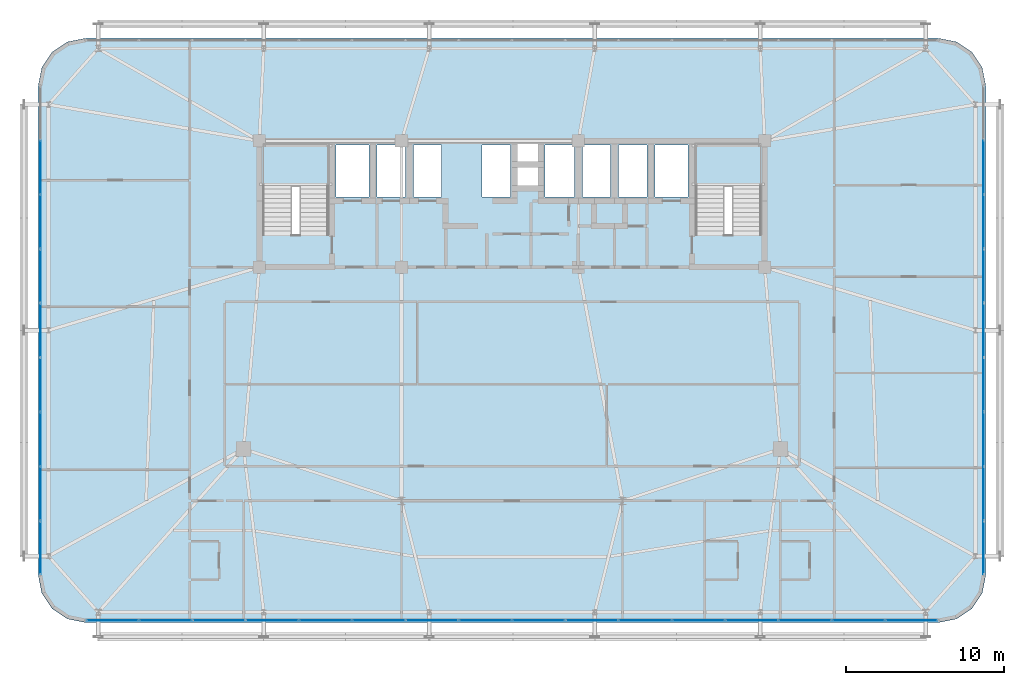
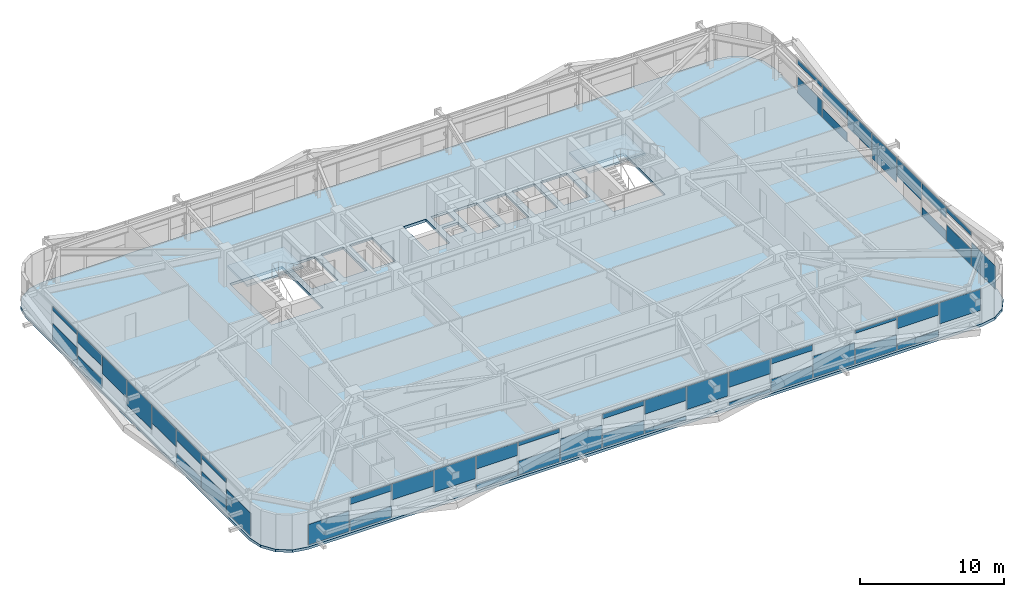
# One storey, part 42 of 59: 49 plates, 3 slabs, 5 elements without a shape of their own.
"""IFC4 building model written with IfcOpenShell, lengths in metres."""

import ifcopenshell
import ifcopenshell.guid

model = None  # the IFC model being written
_history = None  # IfcOwnerHistory: only IFC2X3 demands one
_inside = {}  # id of a spatial element -> (the spatial element, [elements in it])
_under = {}  # id of a project, library or spatial element -> (it, [spatial elements below it])
_declared = {}  # id of a project -> (the project, [libraries it declares])
_typed = {}  # id of a type object -> (the type object, [elements of that type])
_made_of = {}  # id of a material, layer set ... -> (it, [elements and type objects made of it])


def new_model(schema):
    """Start an empty IFC model of exactly this schema.

    Asked for "IFC4X3", IfcOpenShell would pick the latest addendum, in which some entities
    have other attributes; the version numbers below select the first issue.
    IFC2X3 requires an IfcOwnerHistory on every rooted entity: one is made here for all.
    """
    global model, _history
    if schema == "IFC4X3":
        model = ifcopenshell.file(schema_version=(4, 3, 0, 0))
    else:
        model = ifcopenshell.file(schema=schema)
    _inside.clear()
    _under.clear()
    _declared.clear()
    _typed.clear()
    _made_of.clear()
    _history = None
    if model.schema == "IFC2X3":
        org = make("IfcOrganization", Name="unknown")
        user = make(
            "IfcPersonAndOrganization",
            ThePerson=make("IfcPerson", FamilyName="unknown"),
            TheOrganization=org,
        )
        app = make(
            "IfcApplication",
            ApplicationDeveloper=org,
            Version="unknown",
            ApplicationFullName="unknown",
            ApplicationIdentifier="unknown",
        )
        _history = make(
            "IfcOwnerHistory",
            OwningUser=user,
            OwningApplication=app,
            ChangeAction="ADDED",
            CreationDate=0,
        )
    return model


def make(cls, **values):
    """One entity of the class cls with the attributes given. An attribute that is None is left unset."""
    return model.create_entity(
        cls, **{name: value for name, value in values.items() if value is not None}
    )


def rooted(cls, **values):
    """An entity with a GlobalId (a new one), such as an element, a storey or a relation."""
    return make(cls, GlobalId=ifcopenshell.guid.new(), OwnerHistory=_history, **values)


def si_unit(unit_type, name, prefix=None):
    """IfcSIUnit, for example si_unit("LENGTHUNIT", "METRE", prefix="MILLI")."""
    return make("IfcSIUnit", UnitType=unit_type, Prefix=prefix, Name=name)


def assignment(units):
    """IfcUnitAssignment: the units of a project."""
    return None if units is None else make("IfcUnitAssignment", Units=units)


def point(xyz):
    """IfcCartesianPoint."""
    return None if xyz is None else make("IfcCartesianPoint", Coordinates=xyz)


def direction(xyz):
    """IfcDirection."""
    return None if xyz is None else make("IfcDirection", DirectionRatios=xyz)


def frame(location, z_axis=None, x_axis=None):
    """IfcAxis2Placement3D, a coordinate frame: its origin and axes. An axis left out is left unset."""
    return make(
        "IfcAxis2Placement3D",
        Location=point(location),
        Axis=direction(z_axis),
        RefDirection=direction(x_axis),
    )


def frame_2d(location, x_axis=None):
    """IfcAxis2Placement2D, a coordinate frame in the plane: its origin and x axis."""
    return make(
        "IfcAxis2Placement2D", Location=point(location), RefDirection=direction(x_axis)
    )


def origin():
    """The frame at (0, 0, 0) with its axes left unset."""
    return frame((0.0, 0.0, 0.0))


def origin_2d():
    """The frame at (0, 0) in the plane with its x axis left unset."""
    return frame_2d((0.0, 0.0))


def place(relative_to, where):
    """IfcLocalPlacement: puts the frame where relative to a parent placement (None: the world)."""
    return make(
        "IfcLocalPlacement", PlacementRelTo=relative_to, RelativePlacement=where
    )


def context(
    kind, dimensions, precision=None, world=None, true_north=None, identifier=None
):
    """IfcGeometricRepresentationContext, for example the 3D "Model" context."""
    return make(
        "IfcGeometricRepresentationContext",
        ContextIdentifier=identifier,
        ContextType=kind,
        CoordinateSpaceDimension=dimensions,
        Precision=precision,
        WorldCoordinateSystem=world,
        TrueNorth=true_north,
    )


def subcontext(parent, identifier, kind, view, scale=None):
    """IfcGeometricRepresentationSubContext, for example "Body" below "Model"."""
    return make(
        "IfcGeometricRepresentationSubContext",
        ContextIdentifier=identifier,
        ContextType=kind,
        ParentContext=parent,
        TargetScale=scale,
        TargetView=view,
    )


def project(units=None, contexts=None):
    """IfcProject with its units and contexts."""
    return rooted(
        "IfcProject",
        Name="project",
        RepresentationContexts=contexts,
        UnitsInContext=assignment(units),
    )


def spatial(cls, under=None, at=None, **own):
    """A site, building, storey or space (cls), placed at a placement, below another one or the project."""
    s = rooted(cls, ObjectPlacement=at, **own)
    if under is not None:
        _under.setdefault(under.id(), (under, []))[1].append(s)
    return s


def polyline(points):
    """IfcPolyline through the points."""
    return make("IfcPolyline", Points=[point(p) for p in points])


def profile(cls, at=None, kind="AREA", **sizes):
    """A parametric profile (cls). Its sizes go by their IFC names, for example OverallWidth=200.0."""
    return make(cls, ProfileType=kind, Position=at, **sizes)


def rectangle(**sizes):
    """IfcRectangleProfileDef."""
    return profile("IfcRectangleProfileDef", **sizes)


def outline(outer, holes=None, kind="AREA"):
    """IfcArbitraryClosedProfileDef: a profile drawn as a closed curve; with holes, ...WithVoids."""
    if holes is None:
        return make("IfcArbitraryClosedProfileDef", ProfileType=kind, OuterCurve=outer)
    return make(
        "IfcArbitraryProfileDefWithVoids",
        ProfileType=kind,
        OuterCurve=outer,
        InnerCurves=holes,
    )


def extrude(swept, where, along, depth):
    """IfcExtrudedAreaSolid: the profile swept, set in the frame where, extruded along a direction by depth."""
    return make(
        "IfcExtrudedAreaSolid",
        SweptArea=swept,
        Position=where,
        ExtrudedDirection=direction(along),
        Depth=depth,
    )


def shape(context_of_items, identifier, shape_type, items):
    """IfcShapeRepresentation: the items that make up one representation, for example the "Body"."""
    return make(
        "IfcShapeRepresentation",
        ContextOfItems=context_of_items,
        RepresentationIdentifier=identifier,
        RepresentationType=shape_type,
        Items=items,
    )


def source(mapping_origin, context_of_items, identifier, shape_type, items):
    """IfcRepresentationMap: a shape defined once, which mapped items show again and again."""
    return make(
        "IfcRepresentationMap",
        MappingOrigin=mapping_origin,
        MappedRepresentation=shape(context_of_items, identifier, shape_type, items),
    )


def transform(
    local_origin,
    x_axis=None,
    y_axis=None,
    z_axis=None,
    scale=None,
    scale2=None,
    scale3=None,
    uniform=True,
):
    """IfcCartesianTransformationOperator3D, or its non-uniform kind. x_axis, y_axis, z_axis: its Axis1, 2, 3."""
    if uniform:
        return make(
            "IfcCartesianTransformationOperator3D",
            Axis1=direction(x_axis),
            Axis2=direction(y_axis),
            LocalOrigin=point(local_origin),
            Scale=scale,
            Axis3=direction(z_axis),
        )
    return make(
        "IfcCartesianTransformationOperator3DnonUniform",
        Axis1=direction(x_axis),
        Axis2=direction(y_axis),
        LocalOrigin=point(local_origin),
        Scale=scale,
        Axis3=direction(z_axis),
        Scale2=scale2,
        Scale3=scale3,
    )


def mapped(mapping_source, mapping_target):
    """IfcMappedItem: shows the shape of a source again, moved by a transform."""
    return make(
        "IfcMappedItem", MappingSource=mapping_source, MappingTarget=mapping_target
    )


def material(Name=None, Category=None):
    """IfcMaterial."""
    return make("IfcMaterial", Name=Name, Category=Category)


def layer(
    of_material, thickness, ventilated=None, Name=None, Category=None, Priority=None
):
    """IfcMaterialLayer: one layer of a wall or slab, of a material (None: an air gap)."""
    return make(
        "IfcMaterialLayer",
        Material=of_material,
        LayerThickness=thickness,
        IsVentilated=ventilated,
        Name=Name,
        Category=Category,
        Priority=Priority,
    )


def layer_set(layers, Name=None):
    """IfcMaterialLayerSet."""
    return make("IfcMaterialLayerSet", MaterialLayers=layers, LayerSetName=Name)


def made_of(thing, what):
    """Note that an element or type object is made of a material, layer set ...; save() writes the relation."""
    if what is not None:
        _made_of.setdefault(what.id(), (what, []))[1].append(thing)
    return thing


def type_object(cls, material=None, **own):
    """A type object (cls), such as IfcWallType, which elements share."""
    return made_of(rooted(cls, **own), material)


def element(
    cls,
    number,
    at=None,
    inside=None,
    cuts=None,
    type_object=None,
    material=None,
    context=None,
    identifier="Body",
    shape_type=None,
    held_by="IfcProductDefinitionShape",
    body=None,
    shapes=None,
    **own,
):
    """One element of the class cls, such as IfcWall. Its Tag is "e" and its number.

    at: its placement. inside: the storey or other place that contains it. cuts: it is an
    opening in that element (IfcRelVoidsElement). A single representation is given by context,
    identifier, shape_type and body (its items); several are given by shapes. held_by: the class
    of the entity that holds the representations. save() writes the other relations.
    """
    e = rooted(cls, Tag="e%d" % number, ObjectPlacement=at, **own)
    if body is not None:
        shapes = [shape(context, identifier, shape_type, body)]
    if shapes is not None:
        e.Representation = make(held_by, Representations=shapes)
    if inside is not None:
        _inside.setdefault(inside.id(), (inside, []))[1].append(e)
    if cuts is not None:
        rooted(
            "IfcRelVoidsElement", RelatingBuildingElement=cuts, RelatedOpeningElement=e
        )
    if type_object is not None:
        _typed.setdefault(type_object.id(), (type_object, []))[1].append(e)
    return made_of(e, material)


def aggregate(whole, parts):
    """IfcRelAggregates: a whole, such as a stair, and the parts it consists of."""
    return rooted("IfcRelAggregates", RelatingObject=whole, RelatedObjects=parts)


def save(model, path):
    """Write the relations noted so far, then the file.

    IfcRelAggregates (storeys below a building ...), IfcRelContainedInSpatialStructure (elements
    in a storey), IfcRelDefinesByType, IfcRelAssociatesMaterial and IfcRelDeclares: one each for
    every whole, place, type object, material and project.
    """
    for whole, parts in _under.values():
        aggregate(whole, parts)
    for where, things in _inside.values():
        rooted(
            "IfcRelContainedInSpatialStructure",
            RelatedElements=things,
            RelatingStructure=where,
        )
    for kind, things in _typed.values():
        rooted("IfcRelDefinesByType", RelatedObjects=things, RelatingType=kind)
    for what, things in _made_of.values():
        rooted("IfcRelAssociatesMaterial", RelatedObjects=things, RelatingMaterial=what)
    for by, libraries in _declared.values():
        rooted("IfcRelDeclares", RelatingContext=by, RelatedDefinitions=libraries)
    model.write(path)


model = new_model("IFC4")

# Units and contexts
model_context = context("Model", 3, precision=1e-05, world=origin(), true_north=direction((0.0, 1.0)))
body_context = subcontext(model_context, "Body", "Model", "MODEL_VIEW")
ifc_project = project(units=[si_unit("LENGTHUNIT", "METRE"), si_unit("AREAUNIT", "SQUARE_METRE"), si_unit("VOLUMEUNIT", "CUBIC_METRE"), si_unit("PLANEANGLEUNIT", "RADIAN"), si_unit("MASSUNIT", "GRAM", prefix="KILO")], contexts=[model_context])

# Site, building, storey
site_placement = place(None, origin())
site = spatial("IfcSite", under=ifc_project, at=site_placement, CompositionType="ELEMENT")
building_placement = place(site_placement, origin())
building = spatial("IfcBuilding", under=site, at=building_placement, Name="Taldren Reach Tower", CompositionType="ELEMENT")
storey_placement = place(building_placement, frame((0.0, 0.0, 26.25)))
storey = spatial("IfcBuildingStorey", under=building, at=storey_placement, Name="L07", CompositionType="ELEMENT", Elevation=26.25)

# Slab
ifc_material_1 = material(Name="Concrete N40 (40 MPa)", Category="concrete")
ifc_layer_1 = layer(ifc_material_1, 0.219970703125)
ifc_layer_set_1 = layer_set([ifc_layer_1], Name="Concrete N40 (40 MPa)")
slab_type_1 = type_object("IfcSlabType", Name="SL-FLR-220", PredefinedType="FLOOR", material=ifc_layer_set_1)
slab_1_placement = place(storey_placement, frame((0.0, 0.0, -0.219970703125)))
element("IfcSlab", 1, at=slab_1_placement, inside=storey, type_object=slab_type_1, Name="Suspended floor slab L07", PredefinedType="FLOOR", context=body_context, shape_type="SweptSolid", body=[
    extrude(outline(polyline([(62.0, 1.5), (63.14794921875, 1.728271484375), (64.121337890625, 2.378662109375), (64.771728515625, 3.35205078125), (65.0, 4.5), (65.0, 35.5), (64.771728515625, 36.64794921875), (64.121337890625, 37.621337890625), (63.14794921875, 38.271728515625), (62.0, 38.5), (8.0, 38.5), (6.85205078125, 38.271728515625), (5.878662109375, 37.621337890625), (5.228271484375, 36.64794921875), (5.0, 35.5), (5.0, 4.5), (5.228271484375, 3.35205078125), (5.878662109375, 2.378662109375), (6.85205078125, 1.728271484375), (8.0, 1.5), (62.0, 1.5)]), holes=[polyline([(19.219970703125, 26.050048828125), (23.3798828125, 26.050048828125), (23.3798828125, 31.820068359375), (19.219970703125, 31.820068359375), (19.219970703125, 26.050048828125)]), polyline([(46.6201171875, 26.050048828125), (50.780029296875, 26.050048828125), (50.780029296875, 31.820068359375), (46.6201171875, 31.820068359375), (46.6201171875, 26.050048828125)]), polyline([(23.85009765625, 28.449951171875), (25.949951171875, 28.449951171875), (25.949951171875, 31.75), (23.85009765625, 31.75), (23.85009765625, 28.449951171875)]), polyline([(44.050048828125, 28.449951171875), (46.14990234375, 28.449951171875), (46.14990234375, 31.75), (44.050048828125, 31.75), (44.050048828125, 28.449951171875)]), polyline([(26.449951171875, 28.449951171875), (28.25, 28.449951171875), (28.25, 31.75), (26.449951171875, 31.75), (26.449951171875, 28.449951171875)]), polyline([(28.75, 28.449951171875), (30.550048828125, 28.449951171875), (30.550048828125, 31.75), (28.75, 31.75), (28.75, 28.449951171875)]), polyline([(33.10009765625, 28.449951171875), (34.89990234375, 28.449951171875), (34.89990234375, 31.75), (33.10009765625, 31.75), (33.10009765625, 28.449951171875)]), polyline([(37.10009765625, 28.449951171875), (38.949951171875, 28.449951171875), (38.949951171875, 31.75), (37.10009765625, 31.75), (37.10009765625, 28.449951171875)]), polyline([(39.449951171875, 28.449951171875), (41.25, 28.449951171875), (41.25, 31.75), (39.449951171875, 31.75), (39.449951171875, 28.449951171875)]), polyline([(41.75, 28.449951171875), (43.550048828125, 28.449951171875), (43.550048828125, 31.75), (41.75, 31.75), (41.75, 28.449951171875)]), polyline([(35.35009765625, 30.64990234375), (36.64990234375, 30.64990234375), (36.64990234375, 31.85009765625), (35.35009765625, 31.85009765625), (35.35009765625, 30.64990234375)]), polyline([(35.35009765625, 29.14990234375), (36.64990234375, 29.14990234375), (36.64990234375, 30.35009765625), (35.35009765625, 30.35009765625), (35.35009765625, 29.14990234375)])]), origin(), (0.0, 0.0, 1.0), 0.219970703125),
])

# Stair, slab
ifc_material_2 = material(Name="Concrete S50 (50 MPa)", Category="concrete")
stair_type = type_object("IfcStairType", Name="ST-HT-315", PredefinedType="HALF_TURN_STAIR", material=ifc_material_2)
stair_1_placement = place(storey_placement, origin())
stair_1 = element("IfcStair", 2, at=stair_1_placement, inside=storey, type_object=stair_type, Name="Fire-isolated exit stair ST1 L07", PredefinedType="HALF_TURN_STAIR")
ifc_layer_2 = layer(ifc_material_2, 0.179931640625)
ifc_layer_set_2 = layer_set([ifc_layer_2], Name="Concrete S50 (50 MPa)")
slab_type_2 = type_object("IfcSlabType", Name="SL-LAND-180", PredefinedType="LANDING", material=ifc_layer_set_2)
slab_2_placement = place(storey_placement, frame((0.0, 0.0, 1.39501953125)))
slab_2 = element("IfcSlab", 3, at=slab_2_placement, type_object=slab_type_2, Name="ST1 landing 1", PredefinedType="LANDING", context=body_context, shape_type="SweptSolid", body=[
    extrude(outline(polyline([(19.0400390625, 29.135009765625), (23.56005859375, 29.135009765625), (23.56005859375, 31.8701171875), (19.0400390625, 31.8701171875), (19.0400390625, 29.135009765625)])), origin(), (0.0, 0.0, 1.0), 0.179931640625),
])
aggregate(stair_1, [slab_2])

stair_2_placement = place(storey_placement, origin())
stair_2 = element("IfcStair", 4, at=stair_2_placement, inside=storey, type_object=stair_type, Name="Fire-isolated exit stair ST2 L07", PredefinedType="HALF_TURN_STAIR")
slab_3_placement = place(storey_placement, frame((0.0, 0.0, 1.39501953125)))
slab_3 = element("IfcSlab", 5, at=slab_3_placement, type_object=slab_type_2, Name="ST2 landing 1", PredefinedType="LANDING", context=body_context, shape_type="SweptSolid", body=[
    extrude(outline(polyline([(46.43994140625, 29.135009765625), (50.9599609375, 29.135009765625), (50.9599609375, 31.8701171875), (46.43994140625, 31.8701171875), (46.43994140625, 29.135009765625)])), origin(), (0.0, 0.0, 1.0), 0.179931640625),
])
aggregate(stair_2, [slab_3])

# Curtain wall, plates
ifc_material_3 = material(Name="Aluminium and Low-E Glass Unitised System", Category="aluminium")
ifc_layer_3 = layer(ifc_material_3, 0.159912109375)
ifc_layer_set_3 = layer_set([ifc_layer_3], Name="Aluminium and Low-E Glass Unitised System")
curtain_wall_type = type_object("IfcCurtainWallType", Name="CW-SYS-2", PredefinedType="NOTDEFINED", material=ifc_layer_set_3)
curtain_wall_1_placement = place(storey_placement, origin())
curtain_wall_1 = element("IfcCurtainWall", 6, at=curtain_wall_1_placement, inside=storey, type_object=curtain_wall_type, Name="Unitised curtain wall CW-L07-S", PredefinedType="NOTDEFINED")
ifc_material_4 = material(Name="Solar-Control Double Glazed IGU", Category="glass")
ifc_layer_4 = layer(ifc_material_4, 0.031982421875)
ifc_layer_set_4 = layer_set([ifc_layer_4], Name="Solar-Control Double Glazed IGU")
plate_type = type_object("IfcPlateType", Name="CW-PNL-IGU32", PredefinedType="CURTAIN_PANEL", material=ifc_layer_set_4)
shared_shape_1 = source(origin(), body_context, "Body", "SweptSolid", [
    extrude(rectangle(XDim=3.277587890625, YDim=0.031982421875, at=origin_2d()), origin(), (0.0, 0.0, 1.0), 1.73876953125),
])
plate_1_placement = place(storey_placement, frame((9.703857421875, 1.639892578125, 0.054931640625), z_axis=(0.0, 0.0, 1.0), x_axis=(1.0, 0.0, 0.0)))
plate_1 = element("IfcPlate", 7, at=plate_1_placement, type_object=plate_type, Name="CW-2 panel 1.1 part 1", PredefinedType="CURTAIN_PANEL", context=body_context, shape_type="MappedRepresentation", body=[
    mapped(shared_shape_1, transform((0.0, 0.0, 0.0), scale=1.0)),
])
shared_shape_2 = source(origin(), body_context, "Body", "SweptSolid", [
    extrude(rectangle(XDim=3.31005859375, YDim=0.031982421875, at=origin_2d()), origin(), (0.0, 0.0, 1.0), 0.9560546875),
])
plate_2_placement = place(storey_placement, frame((13.0625, 1.639892578125, 0.054931640625), z_axis=(0.0, 0.0, 1.0), x_axis=(1.0, 0.0, 0.0)))
plate_2 = element("IfcPlate", 8, at=plate_2_placement, type_object=plate_type, Name="CW-2 panel 2.1 part 1", PredefinedType="CURTAIN_PANEL", context=body_context, shape_type="MappedRepresentation", body=[
    mapped(shared_shape_2, transform((0.0, 0.0, 0.0), scale=1.0)),
])
shared_shape_3 = source(origin(), body_context, "Body", "SweptSolid", [
    extrude(rectangle(XDim=3.31005859375, YDim=0.031982421875, at=origin_2d()), origin(), (0.0, 0.0, 1.0), 0.562744140625),
])
plate_3_placement = place(storey_placement, frame((13.0625, 1.639892578125, 2.31201171875), z_axis=(0.0, 0.0, 1.0), x_axis=(1.0, 0.0, 0.0)))
plate_3 = element("IfcPlate", 9, at=plate_3_placement, type_object=plate_type, Name="CW-2 panel 2.1 part 2", PredefinedType="CURTAIN_PANEL", context=body_context, shape_type="MappedRepresentation", body=[
    mapped(shared_shape_3, transform((0.0, 0.0, 0.0), scale=1.0)),
])
shared_shape_4 = source(origin(), body_context, "Body", "SweptSolid", [
    extrude(rectangle(XDim=3.31005859375, YDim=0.031982421875, at=origin_2d()), origin(), (0.0, 0.0, 1.0), 1.345458984375),
])
plate_4_placement = place(storey_placement, frame((16.4375, 1.639892578125, 1.52978515625), z_axis=(0.0, 0.0, 1.0), x_axis=(1.0, 0.0, 0.0)))
plate_4 = element("IfcPlate", 10, at=plate_4_placement, type_object=plate_type, Name="CW-2 panel 3.1 part 1", PredefinedType="CURTAIN_PANEL", context=body_context, shape_type="MappedRepresentation", body=[
    mapped(shared_shape_4, transform((0.0, 0.0, 0.0), scale=1.0)),
])
shared_shape_5 = source(origin(), body_context, "Body", "SweptSolid", [
    extrude(rectangle(XDim=3.31005859375, YDim=0.031982421875, at=origin_2d()), origin(), (0.0, 0.0, 1.0), 1.881103515625),
])
plate_5_placement = place(storey_placement, frame((19.8125, 1.639892578125, 0.994140625), z_axis=(0.0, 0.0, 1.0), x_axis=(1.0, 0.0, 0.0)))
plate_5 = element("IfcPlate", 11, at=plate_5_placement, type_object=plate_type, Name="CW-2 panel 4.1 part 1", PredefinedType="CURTAIN_PANEL", context=body_context, shape_type="MappedRepresentation", body=[
    mapped(shared_shape_5, transform((0.0, 0.0, 0.0), scale=1.0)),
])
shared_shape_6 = source(origin(), body_context, "Body", "SweptSolid", [
    extrude(rectangle(XDim=3.31005859375, YDim=0.031982421875, at=origin_2d()), origin(), (0.0, 0.0, 1.0), 0.42041015625),
])
plate_6_placement = place(storey_placement, frame((23.1875, 1.639892578125, 0.05517578125), z_axis=(0.0, 0.0, 1.0), x_axis=(1.0, 0.0, 0.0)))
plate_6 = element("IfcPlate", 12, at=plate_6_placement, type_object=plate_type, Name="CW-2 panel 5.1 part 1", PredefinedType="CURTAIN_PANEL", context=body_context, shape_type="MappedRepresentation", body=[
    mapped(shared_shape_6, transform((0.0, 0.0, 0.0), scale=1.0)),
])
shared_shape_7 = source(origin(), body_context, "Body", "SweptSolid", [
    extrude(rectangle(XDim=3.31005859375, YDim=0.031982421875, at=origin_2d()), origin(), (0.0, 0.0, 1.0), 1.098388671875),
])
plate_7_placement = place(storey_placement, frame((23.1875, 1.639892578125, 1.7763671875), z_axis=(0.0, 0.0, 1.0), x_axis=(1.0, 0.0, 0.0)))
plate_7 = element("IfcPlate", 13, at=plate_7_placement, type_object=plate_type, Name="CW-2 panel 5.1 part 2", PredefinedType="CURTAIN_PANEL", context=body_context, shape_type="MappedRepresentation", body=[
    mapped(shared_shape_7, transform((0.0, 0.0, 0.0), scale=1.0)),
])
shared_shape_8 = source(origin(), body_context, "Body", "SweptSolid", [
    extrude(rectangle(XDim=3.31005859375, YDim=0.031982421875, at=origin_2d()), origin(), (0.0, 0.0, 1.0), 1.203125),
])
plate_8_placement = place(storey_placement, frame((26.5625, 1.639892578125, 0.054931640625), z_axis=(0.0, 0.0, 1.0), x_axis=(1.0, 0.0, 0.0)))
plate_8 = element("IfcPlate", 14, at=plate_8_placement, type_object=plate_type, Name="CW-2 panel 6.1 part 1", PredefinedType="CURTAIN_PANEL", context=body_context, shape_type="MappedRepresentation", body=[
    mapped(shared_shape_8, transform((0.0, 0.0, 0.0), scale=1.0)),
])
shared_shape_9 = source(origin(), body_context, "Body", "SweptSolid", [
    extrude(rectangle(XDim=3.31005859375, YDim=0.031982421875, at=origin_2d()), origin(), (0.0, 0.0, 1.0), 0.31591796875),
])
plate_9_placement = place(storey_placement, frame((26.5625, 1.639892578125, 2.55908203125), z_axis=(0.0, 0.0, 1.0), x_axis=(1.0, 0.0, 0.0)))
plate_9 = element("IfcPlate", 15, at=plate_9_placement, type_object=plate_type, Name="CW-2 panel 6.1 part 2", PredefinedType="CURTAIN_PANEL", context=body_context, shape_type="MappedRepresentation", body=[
    mapped(shared_shape_9, transform((0.0, 0.0, 0.0), scale=1.0)),
])
shared_shape_10 = source(origin(), body_context, "Body", "SweptSolid", [
    extrude(rectangle(XDim=3.31005859375, YDim=0.031982421875, at=origin_2d()), origin(), (0.0, 0.0, 1.0), 1.9033203125),
])
plate_10_placement = place(storey_placement, frame((29.9375, 1.639892578125, 0.054931640625), z_axis=(0.0, 0.0, 1.0), x_axis=(1.0, 0.0, 0.0)))
plate_10 = element("IfcPlate", 16, at=plate_10_placement, type_object=plate_type, Name="CW-2 panel 7.1 part 1", PredefinedType="CURTAIN_PANEL", context=body_context, shape_type="MappedRepresentation", body=[
    mapped(shared_shape_10, transform((0.0, 0.0, 0.0), scale=1.0)),
])
shared_shape_11 = source(origin(), body_context, "Body", "SweptSolid", [
    extrude(rectangle(XDim=3.31005859375, YDim=0.031982421875, at=origin_2d()), origin(), (0.0, 0.0, 1.0), 1.120849609375),
])
plate_11_placement = place(storey_placement, frame((33.3125, 1.639892578125, 0.05517578125), z_axis=(0.0, 0.0, 1.0), x_axis=(1.0, 0.0, 0.0)))
plate_11 = element("IfcPlate", 17, at=plate_11_placement, type_object=plate_type, Name="CW-2 panel 8.1 part 1", PredefinedType="CURTAIN_PANEL", context=body_context, shape_type="MappedRepresentation", body=[
    mapped(shared_shape_11, transform((0.0, 0.0, 0.0), scale=1.0)),
])
shared_shape_12 = source(origin(), body_context, "Body", "SweptSolid", [
    extrude(rectangle(XDim=3.31005859375, YDim=0.031982421875, at=origin_2d()), origin(), (0.0, 0.0, 1.0), 0.398193359375),
])
plate_12_placement = place(storey_placement, frame((33.3125, 1.639892578125, 2.4765625), z_axis=(0.0, 0.0, 1.0), x_axis=(1.0, 0.0, 0.0)))
plate_12 = element("IfcPlate", 18, at=plate_12_placement, type_object=plate_type, Name="CW-2 panel 8.1 part 2", PredefinedType="CURTAIN_PANEL", context=body_context, shape_type="MappedRepresentation", body=[
    mapped(shared_shape_12, transform((0.0, 0.0, 0.0), scale=1.0)),
])
shared_shape_13 = source(origin(), body_context, "Body", "SweptSolid", [
    extrude(rectangle(XDim=3.31005859375, YDim=0.031982421875, at=origin_2d()), origin(), (0.0, 0.0, 1.0), 0.338134765625),
])
plate_13_placement = place(storey_placement, frame((36.6875, 1.639892578125, 0.05517578125), z_axis=(0.0, 0.0, 1.0), x_axis=(1.0, 0.0, 0.0)))
plate_13 = element("IfcPlate", 19, at=plate_13_placement, type_object=plate_type, Name="CW-2 panel 9.1 part 1", PredefinedType="CURTAIN_PANEL", context=body_context, shape_type="MappedRepresentation", body=[
    mapped(shared_shape_13, transform((0.0, 0.0, 0.0), scale=1.0)),
])
shared_shape_14 = source(origin(), body_context, "Body", "SweptSolid", [
    extrude(rectangle(XDim=3.31005859375, YDim=0.031982421875, at=origin_2d()), origin(), (0.0, 0.0, 1.0), 1.1806640625),
])
plate_14_placement = place(storey_placement, frame((36.6875, 1.639892578125, 1.6943359375), z_axis=(0.0, 0.0, 1.0), x_axis=(1.0, 0.0, 0.0)))
plate_14 = element("IfcPlate", 20, at=plate_14_placement, type_object=plate_type, Name="CW-2 panel 9.1 part 2", PredefinedType="CURTAIN_PANEL", context=body_context, shape_type="MappedRepresentation", body=[
    mapped(shared_shape_14, transform((0.0, 0.0, 0.0), scale=1.0)),
])
shared_shape_15 = source(origin(), body_context, "Body", "SweptSolid", [
    extrude(rectangle(XDim=3.31005859375, YDim=0.031982421875, at=origin_2d()), origin(), (0.0, 0.0, 1.0), 1.96337890625),
])
plate_15_placement = place(storey_placement, frame((40.0625, 1.639892578125, 0.91162109375), z_axis=(0.0, 0.0, 1.0), x_axis=(1.0, 0.0, 0.0)))
plate_15 = element("IfcPlate", 21, at=plate_15_placement, type_object=plate_type, Name="CW-2 panel 10.1 part 1", PredefinedType="CURTAIN_PANEL", context=body_context, shape_type="MappedRepresentation", body=[
    mapped(shared_shape_15, transform((0.0, 0.0, 0.0), scale=1.0)),
])
shared_shape_16 = source(origin(), body_context, "Body", "SweptSolid", [
    extrude(rectangle(XDim=3.31005859375, YDim=0.031982421875, at=origin_2d()), origin(), (0.0, 0.0, 1.0), 0.255859375),
])
plate_16_placement = place(storey_placement, frame((43.4375, 1.639892578125, 0.054931640625), z_axis=(0.0, 0.0, 1.0), x_axis=(1.0, 0.0, 0.0)))
plate_16 = element("IfcPlate", 22, at=plate_16_placement, type_object=plate_type, Name="CW-2 panel 11.1 part 1", PredefinedType="CURTAIN_PANEL", context=body_context, shape_type="MappedRepresentation", body=[
    mapped(shared_shape_16, transform((0.0, 0.0, 0.0), scale=1.0)),
])
shared_shape_17 = source(origin(), body_context, "Body", "SweptSolid", [
    extrude(rectangle(XDim=3.31005859375, YDim=0.031982421875, at=origin_2d()), origin(), (0.0, 0.0, 1.0), 1.26318359375),
])
plate_17_placement = place(storey_placement, frame((43.4375, 1.639892578125, 1.61181640625), z_axis=(0.0, 0.0, 1.0), x_axis=(1.0, 0.0, 0.0)))
plate_17 = element("IfcPlate", 23, at=plate_17_placement, type_object=plate_type, Name="CW-2 panel 11.1 part 2", PredefinedType="CURTAIN_PANEL", context=body_context, shape_type="MappedRepresentation", body=[
    mapped(shared_shape_17, transform((0.0, 0.0, 0.0), scale=1.0)),
])
shared_shape_18 = source(origin(), body_context, "Body", "SweptSolid", [
    extrude(rectangle(XDim=3.31005859375, YDim=0.031982421875, at=origin_2d()), origin(), (0.0, 0.0, 1.0), 1.03857421875),
])
plate_18_placement = place(storey_placement, frame((46.8125, 1.639892578125, 0.054931640625), z_axis=(0.0, 0.0, 1.0), x_axis=(1.0, 0.0, 0.0)))
plate_18 = element("IfcPlate", 24, at=plate_18_placement, type_object=plate_type, Name="CW-2 panel 12.1 part 1", PredefinedType="CURTAIN_PANEL", context=body_context, shape_type="MappedRepresentation", body=[
    mapped(shared_shape_18, transform((0.0, 0.0, 0.0), scale=1.0)),
])
shared_shape_19 = source(origin(), body_context, "Body", "SweptSolid", [
    extrude(rectangle(XDim=3.31005859375, YDim=0.031982421875, at=origin_2d()), origin(), (0.0, 0.0, 1.0), 0.48046875),
])
plate_19_placement = place(storey_placement, frame((46.8125, 1.639892578125, 2.39453125), z_axis=(0.0, 0.0, 1.0), x_axis=(1.0, 0.0, 0.0)))
plate_19 = element("IfcPlate", 25, at=plate_19_placement, type_object=plate_type, Name="CW-2 panel 12.1 part 2", PredefinedType="CURTAIN_PANEL", context=body_context, shape_type="MappedRepresentation", body=[
    mapped(shared_shape_19, transform((0.0, 0.0, 0.0), scale=1.0)),
])
shared_shape_20 = source(origin(), body_context, "Body", "SweptSolid", [
    extrude(rectangle(XDim=3.31005859375, YDim=0.031982421875, at=origin_2d()), origin(), (0.0, 0.0, 1.0), 1.821044921875),
])
plate_20_placement = place(storey_placement, frame((50.1875, 1.639892578125, 0.05517578125), z_axis=(0.0, 0.0, 1.0), x_axis=(1.0, 0.0, 0.0)))
plate_20 = element("IfcPlate", 26, at=plate_20_placement, type_object=plate_type, Name="CW-2 panel 13.1 part 1", PredefinedType="CURTAIN_PANEL", context=body_context, shape_type="MappedRepresentation", body=[
    mapped(shared_shape_20, transform((0.0, 0.0, 0.0), scale=1.0)),
])
shared_shape_21 = source(origin(), body_context, "Body", "SweptSolid", [
    extrude(rectangle(XDim=3.31005859375, YDim=0.031982421875, at=origin_2d()), origin(), (0.0, 0.0, 1.0), 1.285400390625),
])
plate_21_placement = place(storey_placement, frame((53.5625, 1.639892578125, 0.05517578125), z_axis=(0.0, 0.0, 1.0), x_axis=(1.0, 0.0, 0.0)))
plate_21 = element("IfcPlate", 27, at=plate_21_placement, type_object=plate_type, Name="CW-2 panel 14.1 part 1", PredefinedType="CURTAIN_PANEL", context=body_context, shape_type="MappedRepresentation", body=[
    mapped(shared_shape_21, transform((0.0, 0.0, 0.0), scale=1.0)),
])
shared_shape_22 = source(origin(), body_context, "Body", "SweptSolid", [
    extrude(rectangle(XDim=3.31005859375, YDim=0.031982421875, at=origin_2d()), origin(), (0.0, 0.0, 1.0), 0.233642578125),
])
plate_22_placement = place(storey_placement, frame((53.5625, 1.639892578125, 2.6416015625), z_axis=(0.0, 0.0, 1.0), x_axis=(1.0, 0.0, 0.0)))
plate_22 = element("IfcPlate", 28, at=plate_22_placement, type_object=plate_type, Name="CW-2 panel 14.1 part 2", PredefinedType="CURTAIN_PANEL", context=body_context, shape_type="MappedRepresentation", body=[
    mapped(shared_shape_22, transform((0.0, 0.0, 0.0), scale=1.0)),
])
shared_shape_23 = source(origin(), body_context, "Body", "SweptSolid", [
    extrude(rectangle(XDim=3.31005859375, YDim=0.031982421875, at=origin_2d()), origin(), (0.0, 0.0, 1.0), 0.5029296875),
])
plate_23_placement = place(storey_placement, frame((56.9375, 1.639892578125, 0.054931640625), z_axis=(0.0, 0.0, 1.0), x_axis=(1.0, 0.0, 0.0)))
plate_23 = element("IfcPlate", 29, at=plate_23_placement, type_object=plate_type, Name="CW-2 panel 15.1 part 1", PredefinedType="CURTAIN_PANEL", context=body_context, shape_type="MappedRepresentation", body=[
    mapped(shared_shape_23, transform((0.0, 0.0, 0.0), scale=1.0)),
])
shared_shape_24 = source(origin(), body_context, "Body", "SweptSolid", [
    extrude(rectangle(XDim=3.31005859375, YDim=0.031982421875, at=origin_2d()), origin(), (0.0, 0.0, 1.0), 1.01611328125),
])
plate_24_placement = place(storey_placement, frame((56.9375, 1.639892578125, 1.85888671875), z_axis=(0.0, 0.0, 1.0), x_axis=(1.0, 0.0, 0.0)))
plate_24 = element("IfcPlate", 30, at=plate_24_placement, type_object=plate_type, Name="CW-2 panel 15.1 part 2", PredefinedType="CURTAIN_PANEL", context=body_context, shape_type="MappedRepresentation", body=[
    mapped(shared_shape_24, transform((0.0, 0.0, 0.0), scale=1.0)),
])
shared_shape_25 = source(origin(), body_context, "Body", "SweptSolid", [
    extrude(rectangle(XDim=3.277587890625, YDim=0.031982421875, at=origin_2d()), origin(), (0.0, 0.0, 1.0), 1.798583984375),
])
plate_25_placement = place(storey_placement, frame((60.296142578125, 1.639892578125, 1.076171875), z_axis=(0.0, 0.0, 1.0), x_axis=(1.0, 0.0, 0.0)))
plate_25 = element("IfcPlate", 31, at=plate_25_placement, type_object=plate_type, Name="CW-2 panel 16.1 part 1", PredefinedType="CURTAIN_PANEL", context=body_context, shape_type="MappedRepresentation", body=[
    mapped(shared_shape_25, transform((0.0, 0.0, 0.0), scale=1.0)),
])
aggregate(curtain_wall_1, [plate_1, plate_2, plate_3, plate_4, plate_5, plate_6, plate_7, plate_8, plate_9, plate_10, plate_11, plate_12, plate_13, plate_14, plate_15, plate_16, plate_17, plate_18, plate_19, plate_20, plate_21, plate_22, plate_23, plate_24, plate_25])

# Curtain wall, plate
curtain_wall_2_placement = place(storey_placement, origin())
curtain_wall_2 = element("IfcCurtainWall", 32, at=curtain_wall_2_placement, inside=storey, type_object=curtain_wall_type, Name="Unitised curtain wall CW-L07-W", PredefinedType="NOTDEFINED")
shared_shape_26 = source(origin(), body_context, "Body", "SweptSolid", [
    extrude(rectangle(XDim=3.346923828125, YDim=0.031982421875, at=origin_2d()), origin(), (0.0, 0.0, 1.0), 1.95556640625),
])
plate_26_placement = place(storey_placement, frame((5.139892578125, 6.238525390625, 0.054931640625), z_axis=(0.0, 0.0, 1.0), x_axis=(0.0, -1.0, 0.0)))
plate_26 = element("IfcPlate", 33, at=plate_26_placement, type_object=plate_type, Name="CW-2 panel 9.1 part 1", PredefinedType="CURTAIN_PANEL", context=body_context, shape_type="MappedRepresentation", body=[
    mapped(shared_shape_26, transform((0.0, 0.0, 0.0), scale=1.0)),
])

curtain_wall_3_placement = place(storey_placement, origin())
curtain_wall_3 = element("IfcCurtainWall", 34, at=curtain_wall_3_placement, inside=storey, type_object=curtain_wall_type, Name="Unitised curtain wall CW-L07-E", PredefinedType="NOTDEFINED")
plate_27_placement = place(storey_placement, frame((64.860107421875, 6.238525390625, 0.054931640625), z_axis=(0.0, 0.0, 1.0), x_axis=(0.0, 1.0, 0.0)))
plate_27 = element("IfcPlate", 35, at=plate_27_placement, type_object=plate_type, Name="CW-2 panel 1.1 part 1", PredefinedType="CURTAIN_PANEL", context=body_context, shape_type="MappedRepresentation", body=[
    mapped(shared_shape_26, transform((0.0, 0.0, 0.0), scale=1.0)),
])

# Plate
shared_shape_27 = source(origin(), body_context, "Body", "SweptSolid", [
    extrude(rectangle(XDim=3.37939453125, YDim=0.031982421875, at=origin_2d()), origin(), (0.0, 0.0, 1.0), 1.3701171875),
])
plate_28_placement = place(storey_placement, frame((5.139892578125, 30.333251953125, 0.054931640625), z_axis=(0.0, 0.0, 1.0), x_axis=(0.0, -1.0, 0.0)))
plate_28 = element("IfcPlate", 36, at=plate_28_placement, type_object=plate_type, Name="CW-2 panel 2.1 part 1", PredefinedType="CURTAIN_PANEL", context=body_context, shape_type="MappedRepresentation", body=[
    mapped(shared_shape_27, transform((0.0, 0.0, 0.0), scale=1.0)),
])

plate_29_placement = place(storey_placement, frame((5.139892578125, 9.666748046875, 0.054931640625), z_axis=(0.0, 0.0, 1.0), x_axis=(0.0, -1.0, 0.0)))
plate_29 = element("IfcPlate", 37, at=plate_29_placement, type_object=plate_type, Name="CW-2 panel 8.1 part 1", PredefinedType="CURTAIN_PANEL", context=body_context, shape_type="MappedRepresentation", body=[
    mapped(shared_shape_27, transform((0.0, 0.0, 0.0), scale=1.0)),
])

plate_30_placement = place(storey_placement, frame((64.860107421875, 9.666748046875, 0.054931640625), z_axis=(0.0, 0.0, 1.0), x_axis=(0.0, 1.0, 0.0)))
plate_30 = element("IfcPlate", 38, at=plate_30_placement, type_object=plate_type, Name="CW-2 panel 2.1 part 1", PredefinedType="CURTAIN_PANEL", context=body_context, shape_type="MappedRepresentation", body=[
    mapped(shared_shape_27, transform((0.0, 0.0, 0.0), scale=1.0)),
])

plate_31_placement = place(storey_placement, frame((64.860107421875, 30.333251953125, 0.054931640625), z_axis=(0.0, 0.0, 1.0), x_axis=(0.0, 1.0, 0.0)))
plate_31 = element("IfcPlate", 39, at=plate_31_placement, type_object=plate_type, Name="CW-2 panel 8.1 part 1", PredefinedType="CURTAIN_PANEL", context=body_context, shape_type="MappedRepresentation", body=[
    mapped(shared_shape_27, transform((0.0, 0.0, 0.0), scale=1.0)),
])

shared_shape_28 = source(origin(), body_context, "Body", "SweptSolid", [
    extrude(rectangle(XDim=3.37939453125, YDim=0.031982421875, at=origin_2d()), origin(), (0.0, 0.0, 1.0), 0.34814453125),
])
plate_32_placement = place(storey_placement, frame((5.139892578125, 30.333251953125, 2.52685546875), z_axis=(0.0, 0.0, 1.0), x_axis=(0.0, -1.0, 0.0)))
plate_32 = element("IfcPlate", 40, at=plate_32_placement, type_object=plate_type, Name="CW-2 panel 2.1 part 2", PredefinedType="CURTAIN_PANEL", context=body_context, shape_type="MappedRepresentation", body=[
    mapped(shared_shape_28, transform((0.0, 0.0, 0.0), scale=1.0)),
])

plate_33_placement = place(storey_placement, frame((5.139892578125, 9.666748046875, 2.52685546875), z_axis=(0.0, 0.0, 1.0), x_axis=(0.0, -1.0, 0.0)))
plate_33 = element("IfcPlate", 41, at=plate_33_placement, type_object=plate_type, Name="CW-2 panel 8.1 part 2", PredefinedType="CURTAIN_PANEL", context=body_context, shape_type="MappedRepresentation", body=[
    mapped(shared_shape_28, transform((0.0, 0.0, 0.0), scale=1.0)),
])

plate_34_placement = place(storey_placement, frame((64.860107421875, 9.666748046875, 2.52685546875), z_axis=(0.0, 0.0, 1.0), x_axis=(0.0, 1.0, 0.0)))
plate_34 = element("IfcPlate", 42, at=plate_34_placement, type_object=plate_type, Name="CW-2 panel 2.1 part 2", PredefinedType="CURTAIN_PANEL", context=body_context, shape_type="MappedRepresentation", body=[
    mapped(shared_shape_28, transform((0.0, 0.0, 0.0), scale=1.0)),
])

plate_35_placement = place(storey_placement, frame((64.860107421875, 30.333251953125, 2.52685546875), z_axis=(0.0, 0.0, 1.0), x_axis=(0.0, 1.0, 0.0)))
plate_35 = element("IfcPlate", 43, at=plate_35_placement, type_object=plate_type, Name="CW-2 panel 8.1 part 2", PredefinedType="CURTAIN_PANEL", context=body_context, shape_type="MappedRepresentation", body=[
    mapped(shared_shape_28, transform((0.0, 0.0, 0.0), scale=1.0)),
])

shared_shape_29 = source(origin(), body_context, "Body", "SweptSolid", [
    extrude(rectangle(XDim=3.37939453125, YDim=0.031982421875, at=origin_2d()), origin(), (0.0, 0.0, 1.0), 0.784912109375),
])
plate_36_placement = place(storey_placement, frame((5.139892578125, 26.888916015625, 0.05517578125), z_axis=(0.0, 0.0, 1.0), x_axis=(0.0, -1.0, 0.0)))
plate_36 = element("IfcPlate", 44, at=plate_36_placement, type_object=plate_type, Name="CW-2 panel 3.1 part 1", PredefinedType="CURTAIN_PANEL", context=body_context, shape_type="MappedRepresentation", body=[
    mapped(shared_shape_29, transform((0.0, 0.0, 0.0), scale=1.0)),
])

plate_37_placement = place(storey_placement, frame((5.139892578125, 13.111083984375, 0.05517578125), z_axis=(0.0, 0.0, 1.0), x_axis=(0.0, -1.0, 0.0)))
plate_37 = element("IfcPlate", 45, at=plate_37_placement, type_object=plate_type, Name="CW-2 panel 7.1 part 1", PredefinedType="CURTAIN_PANEL", context=body_context, shape_type="MappedRepresentation", body=[
    mapped(shared_shape_29, transform((0.0, 0.0, 0.0), scale=1.0)),
])

plate_38_placement = place(storey_placement, frame((64.860107421875, 13.111083984375, 0.05517578125), z_axis=(0.0, 0.0, 1.0), x_axis=(0.0, 1.0, 0.0)))
plate_38 = element("IfcPlate", 46, at=plate_38_placement, type_object=plate_type, Name="CW-2 panel 3.1 part 1", PredefinedType="CURTAIN_PANEL", context=body_context, shape_type="MappedRepresentation", body=[
    mapped(shared_shape_29, transform((0.0, 0.0, 0.0), scale=1.0)),
])

plate_39_placement = place(storey_placement, frame((64.860107421875, 26.888916015625, 0.05517578125), z_axis=(0.0, 0.0, 1.0), x_axis=(0.0, 1.0, 0.0)))
plate_39 = element("IfcPlate", 47, at=plate_39_placement, type_object=plate_type, Name="CW-2 panel 7.1 part 1", PredefinedType="CURTAIN_PANEL", context=body_context, shape_type="MappedRepresentation", body=[
    mapped(shared_shape_29, transform((0.0, 0.0, 0.0), scale=1.0)),
])

shared_shape_30 = source(origin(), body_context, "Body", "SweptSolid", [
    extrude(rectangle(XDim=3.37939453125, YDim=0.031982421875, at=origin_2d()), origin(), (0.0, 0.0, 1.0), 0.93359375),
])
plate_40_placement = place(storey_placement, frame((5.139892578125, 26.888916015625, 1.94140625), z_axis=(0.0, 0.0, 1.0), x_axis=(0.0, -1.0, 0.0)))
plate_40 = element("IfcPlate", 48, at=plate_40_placement, type_object=plate_type, Name="CW-2 panel 3.1 part 2", PredefinedType="CURTAIN_PANEL", context=body_context, shape_type="MappedRepresentation", body=[
    mapped(shared_shape_30, transform((0.0, 0.0, 0.0), scale=1.0)),
])

plate_41_placement = place(storey_placement, frame((5.139892578125, 13.111083984375, 1.94140625), z_axis=(0.0, 0.0, 1.0), x_axis=(0.0, -1.0, 0.0)))
plate_41 = element("IfcPlate", 49, at=plate_41_placement, type_object=plate_type, Name="CW-2 panel 7.1 part 2", PredefinedType="CURTAIN_PANEL", context=body_context, shape_type="MappedRepresentation", body=[
    mapped(shared_shape_30, transform((0.0, 0.0, 0.0), scale=1.0)),
])

plate_42_placement = place(storey_placement, frame((64.860107421875, 13.111083984375, 1.94140625), z_axis=(0.0, 0.0, 1.0), x_axis=(0.0, 1.0, 0.0)))
plate_42 = element("IfcPlate", 50, at=plate_42_placement, type_object=plate_type, Name="CW-2 panel 3.1 part 2", PredefinedType="CURTAIN_PANEL", context=body_context, shape_type="MappedRepresentation", body=[
    mapped(shared_shape_30, transform((0.0, 0.0, 0.0), scale=1.0)),
])

plate_43_placement = place(storey_placement, frame((64.860107421875, 26.888916015625, 1.94140625), z_axis=(0.0, 0.0, 1.0), x_axis=(0.0, 1.0, 0.0)))
plate_43 = element("IfcPlate", 51, at=plate_43_placement, type_object=plate_type, Name="CW-2 panel 7.1 part 2", PredefinedType="CURTAIN_PANEL", context=body_context, shape_type="MappedRepresentation", body=[
    mapped(shared_shape_30, transform((0.0, 0.0, 0.0), scale=1.0)),
])

shared_shape_31 = source(origin(), body_context, "Body", "SweptSolid", [
    extrude(rectangle(XDim=3.37939453125, YDim=0.031982421875, at=origin_2d()), origin(), (0.0, 0.0, 1.0), 1.518798828125),
])
plate_44_placement = place(storey_placement, frame((5.139892578125, 23.4443359375, 1.35595703125), z_axis=(0.0, 0.0, 1.0), x_axis=(0.0, -1.0, 0.0)))
plate_44 = element("IfcPlate", 52, at=plate_44_placement, type_object=plate_type, Name="CW-2 panel 4.1 part 1", PredefinedType="CURTAIN_PANEL", context=body_context, shape_type="MappedRepresentation", body=[
    mapped(shared_shape_31, transform((0.0, 0.0, 0.0), scale=1.0)),
])

plate_45_placement = place(storey_placement, frame((5.139892578125, 16.5556640625, 1.35595703125), z_axis=(0.0, 0.0, 1.0), x_axis=(0.0, -1.0, 0.0)))
plate_45 = element("IfcPlate", 53, at=plate_45_placement, type_object=plate_type, Name="CW-2 panel 6.1 part 1", PredefinedType="CURTAIN_PANEL", context=body_context, shape_type="MappedRepresentation", body=[
    mapped(shared_shape_31, transform((0.0, 0.0, 0.0), scale=1.0)),
])

plate_46_placement = place(storey_placement, frame((64.860107421875, 16.5556640625, 1.35595703125), z_axis=(0.0, 0.0, 1.0), x_axis=(0.0, 1.0, 0.0)))
plate_46 = element("IfcPlate", 54, at=plate_46_placement, type_object=plate_type, Name="CW-2 panel 4.1 part 1", PredefinedType="CURTAIN_PANEL", context=body_context, shape_type="MappedRepresentation", body=[
    mapped(shared_shape_31, transform((0.0, 0.0, 0.0), scale=1.0)),
])

plate_47_placement = place(storey_placement, frame((64.860107421875, 23.4443359375, 1.35595703125), z_axis=(0.0, 0.0, 1.0), x_axis=(0.0, 1.0, 0.0)))
plate_47 = element("IfcPlate", 55, at=plate_47_placement, type_object=plate_type, Name="CW-2 panel 6.1 part 1", PredefinedType="CURTAIN_PANEL", context=body_context, shape_type="MappedRepresentation", body=[
    mapped(shared_shape_31, transform((0.0, 0.0, 0.0), scale=1.0)),
])

shared_shape_32 = source(origin(), body_context, "Body", "SweptSolid", [
    extrude(rectangle(XDim=3.37939453125, YDim=0.031982421875, at=origin_2d()), origin(), (0.0, 0.0, 1.0), 2.104248046875),
])
plate_48_placement = place(storey_placement, frame((5.139892578125, 20.0, 0.77099609375), z_axis=(0.0, 0.0, 1.0), x_axis=(0.0, -1.0, 0.0)))
plate_48 = element("IfcPlate", 56, at=plate_48_placement, type_object=plate_type, Name="CW-2 panel 5.1 part 1", PredefinedType="CURTAIN_PANEL", context=body_context, shape_type="MappedRepresentation", body=[
    mapped(shared_shape_32, transform((0.0, 0.0, 0.0), scale=1.0)),
])

aggregate(curtain_wall_2, [plate_28, plate_32, plate_36, plate_40, plate_44, plate_48, plate_45, plate_37, plate_41, plate_29, plate_33, plate_26])

plate_49_placement = place(storey_placement, frame((64.860107421875, 20.0, 0.77099609375), z_axis=(0.0, 0.0, 1.0), x_axis=(0.0, 1.0, 0.0)))
plate_49 = element("IfcPlate", 57, at=plate_49_placement, type_object=plate_type, Name="CW-2 panel 5.1 part 1", PredefinedType="CURTAIN_PANEL", context=body_context, shape_type="MappedRepresentation", body=[
    mapped(shared_shape_32, transform((0.0, 0.0, 0.0), scale=1.0)),
])

aggregate(curtain_wall_3, [plate_27, plate_30, plate_34, plate_38, plate_42, plate_46, plate_49, plate_47, plate_39, plate_43, plate_31, plate_35])

save(model, "model.ifc")
